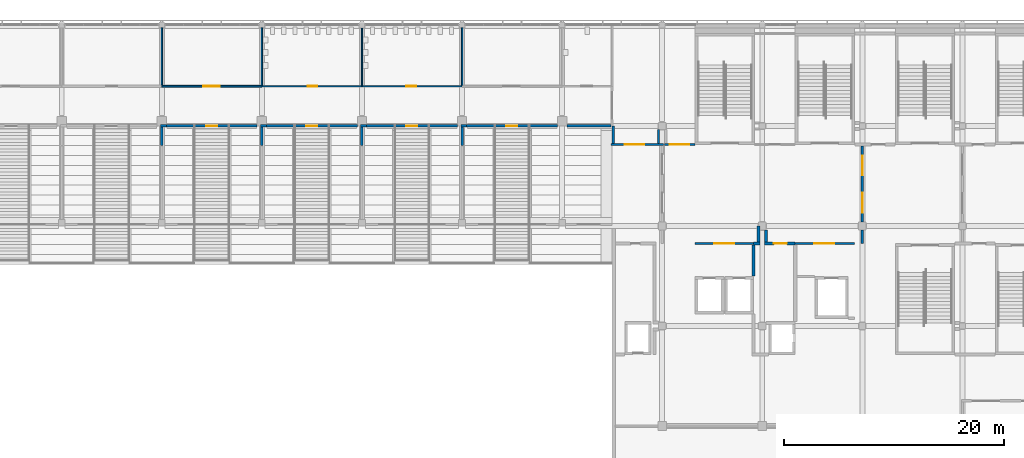
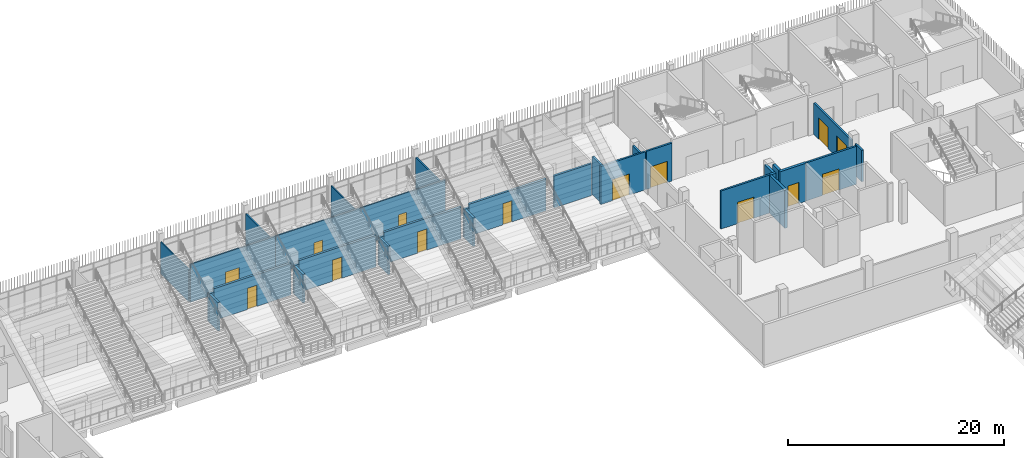
# One storey, part 87 of 139: 32 walls, 14 doors, 14 openings.
"""IFC4 building model written with IfcOpenShell, lengths in metres."""

from ifc_helpers import new_model, si_unit, direction, frame, frame_2d, origin, place, context, subcontext, project, spatial, rectangle, extrude, material, layer, layer_set, type_object, element, fill, save


model = new_model("IFC4")

# Units and contexts
model_context = context("Model", 3, precision=1e-05, world=origin(), true_north=direction((0.0, 1.0)))
body_context = subcontext(model_context, "Body", "Model", "MODEL_VIEW")
ifc_project = project(units=[si_unit("LENGTHUNIT", "METRE"), si_unit("AREAUNIT", "SQUARE_METRE"), si_unit("VOLUMEUNIT", "CUBIC_METRE"), si_unit("PLANEANGLEUNIT", "RADIAN"), si_unit("MASSUNIT", "GRAM", prefix="KILO")], contexts=[model_context])

# Site, building, storey
site_placement = place(None, origin())
site = spatial("IfcSite", under=ifc_project, at=site_placement, CompositionType="ELEMENT")
building_placement = place(site_placement, origin())
building = spatial("IfcBuilding", under=site, at=building_placement, Name="Shirokan Park Arena", CompositionType="ELEMENT")
storey_placement = place(building_placement, frame((0.0, 0.0, 15.469970703125)))
storey = spatial("IfcBuildingStorey", under=building, at=storey_placement, Name="L03", CompositionType="ELEMENT", Elevation=15.469970703125)

# Wall, opening, door
ifc_material_1 = material(Name="Gypsum board")
ifc_layer_1 = layer(ifc_material_1, 0.02490234375, Name="Gypsum board, two layers")
ifc_material_2 = material(Name="Mineral wool insulation")
ifc_layer_2 = layer(ifc_material_2, 0.14990234375, Name="Mineral wool insulation")
ifc_layer_3 = layer(ifc_material_1, 0.02490234375, Name="Gypsum board, two layers")
ifc_layer_set_1 = layer_set([ifc_layer_1, ifc_layer_2, ifc_layer_3], Name="Gypsum board, two layers + Mineral wool insulation")
wall_type_1 = type_object("IfcWallType", Name="Corridor wall 200", PredefinedType="PARTITIONING", material=ifc_layer_set_1)
wall_1_placement = place(storey_placement, frame((104.53759765625, 98.39990234375, 0.0), z_axis=(0.0, 0.0, 1.0), x_axis=(1.0, 0.0, 0.0)))
wall_1 = element("IfcWall", 1, at=wall_1_placement, inside=storey, type_object=wall_type_1, Name="Corridor wall 200 L03", PredefinedType="PARTITIONING", context=body_context, shape_type="SweptSolid", body=[
    extrude(rectangle(XDim=4.762451171875, YDim=0.199951171875, at=frame_2d((2.38134765625, 0.0))), origin(), (0.0, 0.0, 1.0), 4.300048828125),
])
opening_1_placement = place(wall_1_placement, frame((1.25, 0.0, 0.0)))
opening_1 = element("IfcOpeningElement", 2, at=opening_1_placement, cuts=wall_1, Name="Opening D-3123", PredefinedType="OPENING", context=body_context, shape_type="SweptSolid", body=[
    extrude(rectangle(XDim=1.800048828125, YDim=2.39990234375, at=frame_2d((0.89990234375, 1.199951171875))), frame((0.0, 0.10986328125, 0.0), z_axis=(0.0, -1.0, 0.0), x_axis=(1.0, 0.0, 0.0)), (0.0, 0.0, 1.0), 0.219970703125),
])
ifc_material_3 = material(Name="Glazed steel door set, fire resisting", Category="steel")
door_type_1 = type_object("IfcDoorType", Name="Lift lobby door 1800 x 2400", OperationType="DOUBLE_DOOR_SINGLE_SWING", PredefinedType="DOOR", material=ifc_material_3)
door_1_placement = place(opening_1_placement, origin())
door_1 = element("IfcDoor", 3, at=door_1_placement, inside=storey, type_object=door_type_1, Name="Door between Hospitality Foyer 3.3.4 and Ring Link 3.3 D-3123", OperationType="DOUBLE_DOOR_SINGLE_SWING", OverallHeight=2.39990234375, OverallWidth=1.800048828125, PredefinedType="DOOR", context=body_context, shape_type="SweptSolid", body=[
    extrude(rectangle(XDim=1.800048828125, YDim=2.39990234375, at=frame_2d((0.89990234375, 1.199951171875))), frame((0.0, 0.02490234375, 0.0), z_axis=(0.0, -1.0, 0.0), x_axis=(1.0, 0.0, 0.0)), (0.0, 0.0, 1.0), 0.050048828125),
])
fill(opening_1, door_1)

# Wall
wall_2_placement = place(storey_placement, frame((108.875, 98.5, 0.0), z_axis=(0.0, 0.0, 1.0), x_axis=(0.0, 1.0, 0.0)))
element("IfcWall", 4, at=wall_2_placement, inside=storey, type_object=wall_type_1, Name="Corridor wall 200 L03", PredefinedType="PARTITIONING", context=body_context, shape_type="SweptSolid", body=[
    extrude(rectangle(XDim=1.27490234375, YDim=0.199951171875, at=frame_2d((0.637451171875, 0.0))), origin(), (0.0, 0.0, 1.0), 4.300048828125),
])

# Wall, opening, door
wall_3_placement = place(storey_placement, frame((109.425048828125, 98.39990234375, 0.0), z_axis=(0.0, 0.0, 1.0), x_axis=(1.0, 0.0, 0.0)))
wall_3 = element("IfcWall", 5, at=wall_3_placement, inside=storey, type_object=wall_type_1, Name="Corridor wall 200 L03", PredefinedType="PARTITIONING", context=body_context, shape_type="SweptSolid", body=[
    extrude(rectangle(XDim=2.744873046875, YDim=0.199951171875, at=frame_2d((1.37255859375, 0.0))), origin(), (0.0, 0.0, 1.0), 4.300048828125),
])
opening_2_placement = place(wall_3_placement, frame((0.449951171875, 0.0, 0.0)))
opening_2 = element("IfcOpeningElement", 6, at=opening_2_placement, cuts=wall_3, Name="Opening D-3122", PredefinedType="OPENING", context=body_context, shape_type="SweptSolid", body=[
    extrude(rectangle(XDim=1.800048828125, YDim=2.39990234375, at=frame_2d((0.89990234375, 1.199951171875))), frame((0.0, 0.10986328125, 0.0), z_axis=(0.0, -1.0, 0.0), x_axis=(1.0, 0.0, 0.0)), (0.0, 0.0, 1.0), 0.219970703125),
])
door_2_placement = place(opening_2_placement, origin())
door_2 = element("IfcDoor", 7, at=door_2_placement, inside=storey, type_object=door_type_1, Name="Door between Stair Lobby 3.3.3 and Ring Link 3.3 D-3122", OperationType="DOUBLE_DOOR_SINGLE_SWING", OverallHeight=2.39990234375, OverallWidth=1.800048828125, PredefinedType="DOOR", context=body_context, shape_type="SweptSolid", body=[
    extrude(rectangle(XDim=1.800048828125, YDim=2.39990234375, at=frame_2d((0.89990234375, 1.199951171875))), frame((0.0, 0.02490234375, 0.0), z_axis=(0.0, -1.0, 0.0), x_axis=(1.0, 0.0, 0.0)), (0.0, 0.0, 1.0), 0.050048828125),
])
fill(opening_2, door_2)

wall_4_placement = place(storey_placement, frame((117.5, 89.39990234375, 0.0), z_axis=(0.0, 0.0, 1.0), x_axis=(-1.0, 0.0, 0.0)))
wall_4 = element("IfcWall", 8, at=wall_4_placement, inside=storey, type_object=wall_type_1, Name="Corridor wall 200 L03", PredefinedType="PARTITIONING", context=body_context, shape_type="SweptSolid", body=[
    extrude(rectangle(XDim=5.300048828125, YDim=0.199951171875, at=frame_2d((2.64990234375, 0.0))), origin(), (0.0, 0.0, 1.0), 4.300048828125),
])
opening_3_placement = place(wall_4_placement, frame((1.75, 0.0, 0.0)))
opening_3 = element("IfcOpeningElement", 9, at=opening_3_placement, cuts=wall_4, Name="Opening D-3120", PredefinedType="OPENING", context=body_context, shape_type="SweptSolid", body=[
    extrude(rectangle(XDim=1.800048828125, YDim=2.39990234375, at=frame_2d((0.89990234375, 1.199951171875))), frame((0.0, 0.10986328125, 0.0), z_axis=(0.0, -1.0, 0.0), x_axis=(1.0, 0.0, 0.0)), (0.0, 0.0, 1.0), 0.219970703125),
])
door_3_placement = place(opening_3_placement, origin())
door_3 = element("IfcDoor", 10, at=door_3_placement, inside=storey, type_object=door_type_1, Name="Door between Stair Lobby 3.3.3 and Lift Lobby 3.3 D-3120", OperationType="DOUBLE_DOOR_SINGLE_SWING", OverallHeight=2.39990234375, OverallWidth=1.800048828125, PredefinedType="DOOR", context=body_context, shape_type="SweptSolid", body=[
    extrude(rectangle(XDim=1.800048828125, YDim=2.39990234375, at=frame_2d((0.89990234375, 1.199951171875))), frame((0.0, 0.02490234375, 0.0), z_axis=(0.0, -1.0, 0.0), x_axis=(1.0, 0.0, 0.0)), (0.0, 0.0, 1.0), 0.050048828125),
])
fill(opening_3, door_3)

wall_5_placement = place(storey_placement, frame((126.699951171875, 89.39990234375, 0.0), z_axis=(0.0, 0.0, 1.0), x_axis=(-1.0, 0.0, 0.0)))
wall_5 = element("IfcWall", 11, at=wall_5_placement, inside=storey, type_object=wall_type_1, Name="Corridor wall 200 L03", PredefinedType="PARTITIONING", context=body_context, shape_type="SweptSolid", body=[
    extrude(rectangle(XDim=5.39990234375, YDim=0.199951171875, at=frame_2d((2.699951171875, 0.0))), origin(), (0.0, 0.0, 1.0), 4.300048828125),
])
opening_4_placement = place(wall_5_placement, frame((1.85009765625, 0.0, 0.0)))
opening_4 = element("IfcOpeningElement", 12, at=opening_4_placement, cuts=wall_5, Name="Opening D-3121", PredefinedType="OPENING", context=body_context, shape_type="SweptSolid", body=[
    extrude(rectangle(XDim=1.800048828125, YDim=2.39990234375, at=frame_2d((0.89990234375, 1.199951171875))), frame((0.0, 0.10986328125, 0.0), z_axis=(0.0, -1.0, 0.0), x_axis=(1.0, 0.0, 0.0)), (0.0, 0.0, 1.0), 0.219970703125),
])
door_4_placement = place(opening_4_placement, origin())
door_4 = element("IfcDoor", 13, at=door_4_placement, inside=storey, type_object=door_type_1, Name="Door between Stair Lobby 3.3.3 and Service Lift Lobby 3.3 D-3121", OperationType="DOUBLE_DOOR_SINGLE_SWING", OverallHeight=2.39990234375, OverallWidth=1.800048828125, PredefinedType="DOOR", context=body_context, shape_type="SweptSolid", body=[
    extrude(rectangle(XDim=1.800048828125, YDim=2.39990234375, at=frame_2d((0.89990234375, 1.199951171875))), frame((0.0, 0.02490234375, 0.0), z_axis=(0.0, -1.0, 0.0), x_axis=(1.0, 0.0, 0.0)), (0.0, 0.0, 1.0), 0.050048828125),
])
fill(opening_4, door_4)

# Wall
wall_6_placement = place(storey_placement, frame((127.39990234375, 89.39990234375, 0.0), z_axis=(0.0, 0.0, 1.0), x_axis=(0.0, 1.0, 0.0)))
element("IfcWall", 14, at=wall_6_placement, inside=storey, type_object=wall_type_1, Name="Corridor wall 200 L03", PredefinedType="PARTITIONING", context=body_context, shape_type="SweptSolid", body=[
    extrude(rectangle(XDim=1.25, YDim=0.199951171875, at=frame_2d((0.625, 0.0))), origin(), (0.0, 0.0, 1.0), 3.550048828125),
])

# Wall, openings, doors
wall_7_placement = place(storey_placement, frame((127.39990234375, 91.35009765625, 0.0), z_axis=(0.0, 0.0, 1.0), x_axis=(0.0, 1.0, 0.0)))
wall_7 = element("IfcWall", 15, at=wall_7_placement, inside=storey, type_object=wall_type_1, Name="Corridor wall 200 L03", PredefinedType="PARTITIONING", context=body_context, shape_type="SweptSolid", body=[
    extrude(rectangle(XDim=6.912353515625, YDim=0.199951171875, at=frame_2d((3.4560546875, 0.0))), origin(), (0.0, 0.0, 1.0), 3.550048828125),
])
opening_5_placement = place(wall_7_placement, frame((0.85009765625, 0.0, 0.0)))
opening_5 = element("IfcOpeningElement", 16, at=opening_5_placement, cuts=wall_7, Name="Opening D-3116", PredefinedType="OPENING", context=body_context, shape_type="SweptSolid", body=[
    extrude(rectangle(XDim=1.800048828125, YDim=2.39990234375, at=frame_2d((0.89990234375, 1.199951171875))), frame((0.0, 0.10986328125, 0.0), z_axis=(0.0, -1.0, 0.0), x_axis=(1.0, 0.0, 0.0)), (0.0, 0.0, 1.0), 0.219970703125),
])
opening_6_placement = place(wall_7_placement, frame((4.25, 0.0, 0.0)))
opening_6 = element("IfcOpeningElement", 17, at=opening_6_placement, cuts=wall_7, Name="Opening D-3117", PredefinedType="OPENING", context=body_context, shape_type="SweptSolid", body=[
    extrude(rectangle(XDim=1.800048828125, YDim=2.39990234375, at=frame_2d((0.89990234375, 1.199951171875))), frame((0.0, 0.10986328125, 0.0), z_axis=(0.0, -1.0, 0.0), x_axis=(1.0, 0.0, 0.0)), (0.0, 0.0, 1.0), 0.219970703125),
])
door_5_placement = place(opening_5_placement, origin())
door_5 = element("IfcDoor", 18, at=door_5_placement, inside=storey, type_object=door_type_1, Name="Door between Media Lobby 3.3.2 and Stair Lobby 3.3.3 D-3116", OperationType="DOUBLE_DOOR_SINGLE_SWING", OverallHeight=2.39990234375, OverallWidth=1.800048828125, PredefinedType="DOOR", context=body_context, shape_type="SweptSolid", body=[
    extrude(rectangle(XDim=1.800048828125, YDim=2.39990234375, at=frame_2d((0.89990234375, 1.199951171875))), frame((0.0, 0.02490234375, 0.0), z_axis=(0.0, -1.0, 0.0), x_axis=(1.0, 0.0, 0.0)), (0.0, 0.0, 1.0), 0.050048828125),
])
fill(opening_5, door_5)
door_6_placement = place(opening_6_placement, origin())
door_6 = element("IfcDoor", 19, at=door_6_placement, inside=storey, type_object=door_type_1, Name="Door between Media Lobby 3.3.2 and Stair Lobby 3.3.3 D-3117", OperationType="DOUBLE_DOOR_SINGLE_SWING", OverallHeight=2.39990234375, OverallWidth=1.800048828125, PredefinedType="DOOR", context=body_context, shape_type="SweptSolid", body=[
    extrude(rectangle(XDim=1.800048828125, YDim=2.39990234375, at=frame_2d((0.89990234375, 1.199951171875))), frame((0.0, 0.02490234375, 0.0), z_axis=(0.0, -1.0, 0.0), x_axis=(1.0, 0.0, 0.0)), (0.0, 0.0, 1.0), 0.050048828125),
])
fill(opening_6, door_6)

# Wall, opening, door
ifc_material_4 = material(Name="Ceramic tile")
ifc_layer_4 = layer(ifc_material_4, 0.010009765625, Name="Ceramic tile")
ifc_material_5 = material(Name="Render")
ifc_layer_5 = layer(ifc_material_5, 0.010009765625, Name="Render")
ifc_material_6 = material(Name="Concrete blockwork", Category="masonry")
ifc_layer_6 = layer(ifc_material_6, 0.10009765625, Name="Concrete blockwork 100")
ifc_layer_7 = layer(ifc_material_5, 0.010009765625, Name="Render")
ifc_layer_8 = layer(ifc_material_4, 0.010009765625, Name="Ceramic tile")
ifc_layer_set_2 = layer_set([ifc_layer_4, ifc_layer_5, ifc_layer_6, ifc_layer_7, ifc_layer_8], Name="Ceramic tile + Render + Concrete blockwork 100")
wall_type_2 = type_object("IfcWallType", Name="Kitchen wall 140", PredefinedType="SOLIDWALL", material=ifc_layer_set_2)
wall_8_placement = place(storey_placement, frame((63.699951171875, 103.699951171875, 0.0), z_axis=(0.0, 0.0, 1.0), x_axis=(1.0, 0.0, 0.0)))
wall_8 = element("IfcWall", 20, at=wall_8_placement, inside=storey, type_object=wall_type_2, Name="Kitchen wall 140 L03", PredefinedType="SOLIDWALL", context=body_context, shape_type="SweptSolid", body=[
    extrude(rectangle(XDim=9.10009765625, YDim=0.139892578125, at=frame_2d((4.550048828125, 0.0))), origin(), (0.0, 0.0, 1.0), 4.300048828125),
])
opening_7_placement = place(wall_8_placement, frame((3.75, 0.0, 0.0)))
opening_7 = element("IfcOpeningElement", 21, at=opening_7_placement, cuts=wall_8, Name="Opening D-3050", PredefinedType="OPENING", context=body_context, shape_type="SweptSolid", body=[
    extrude(rectangle(XDim=1.5, YDim=2.10009765625, at=frame_2d((0.75, 1.050048828125))), frame((0.0, 0.079833984375, 0.0), z_axis=(0.0, -1.0, 0.0), x_axis=(1.0, 0.0, 0.0)), (0.0, 0.0, 1.0), 0.159912109375),
])
ifc_material_7 = material(Name="Stainless steel door set, fire resisting", Category="steel")
door_type_2 = type_object("IfcDoorType", Name="Kitchen door 1500 x 2100", OperationType="DOUBLE_DOOR_SINGLE_SWING", PredefinedType="DOOR", material=ifc_material_7)
door_7_placement = place(opening_7_placement, origin())
door_7 = element("IfcDoor", 22, at=door_7_placement, inside=storey, type_object=door_type_2, Name="Door to Suite Pantry 3.34 D-3050", OperationType="DOUBLE_DOOR_SINGLE_SWING", OverallHeight=2.10009765625, OverallWidth=1.5, PredefinedType="DOOR", context=body_context, shape_type="SweptSolid", body=[
    extrude(rectangle(XDim=1.5, YDim=2.10009765625, at=frame_2d((0.75, 1.050048828125))), frame((0.0, 0.02490234375, 0.0), z_axis=(0.0, -1.0, 0.0), x_axis=(1.0, 0.0, 0.0)), (0.0, 0.0, 1.0), 0.050048828125),
])
fill(opening_7, door_7)

# Walls
wall_9_placement = place(storey_placement, frame((63.699951171875, 109.02490234375, 0.0), z_axis=(0.0, 0.0, 1.0), x_axis=(0.0, -1.0, 0.0)))
element("IfcWall", 23, at=wall_9_placement, inside=storey, type_object=wall_type_2, Name="Kitchen wall 140 L03", PredefinedType="SOLIDWALL", context=body_context, shape_type="SweptSolid", body=[
    extrude(rectangle(XDim=5.199951171875, YDim=0.139892578125, at=frame_2d((2.60009765625, 0.0))), origin(), (0.0, 0.0, 1.0), 3.60009765625),
])
for number, where, z_axis, x_axis, name in (
    (24, (72.800048828125, 109.02490234375, 0.0), (0.0, 0.0, 1.0), (0.0, -1.0, 0.0), "Kitchen wall 140 L03"),
    (25, (91.0, 109.02490234375, 0.0), (0.0, 0.0, 1.0), (0.0, -1.0, 0.0), "Kitchen wall 140 L03"),
):
    element("IfcWall", number, at=place(storey_placement, frame(where, z_axis=z_axis, x_axis=x_axis)), inside=storey, type_object=wall_type_2, Name=name, PredefinedType="SOLIDWALL", context=body_context, shape_type="SweptSolid", body=[
        extrude(rectangle(XDim=5.2548828125, YDim=0.139892578125, at=frame_2d((2.62744140625, 0.0))), origin(), (0.0, 0.0, 1.0), 3.60009765625),
    ])
ifc_material_8 = material(Name="Plaster")
ifc_layer_9 = layer(ifc_material_8, 0.012451171875, Name="Plaster")
ifc_layer_10 = layer(ifc_material_6, 0.25, Name="Concrete blockwork 250")
ifc_layer_11 = layer(ifc_material_8, 0.012451171875, Name="Plaster")
ifc_layer_set_3 = layer_set([ifc_layer_9, ifc_layer_10, ifc_layer_11], Name="Plaster + Concrete blockwork 250")
wall_type_3 = type_object("IfcWallType", Name="Plant room wall 275", PredefinedType="SOLIDWALL", material=ifc_layer_set_3)
wall_10_placement = place(storey_placement, frame((117.5, 86.429931640625, 0.0), z_axis=(0.0, 0.0, 1.0), x_axis=(0.0, 1.0, 0.0)))
element("IfcWall", 26, at=wall_10_placement, inside=storey, type_object=wall_type_3, Name="Plant room wall 275 L03", PredefinedType="SOLIDWALL", context=body_context, shape_type="SweptSolid", body=[
    extrude(rectangle(XDim=2.83251953125, YDim=0.27490234375, at=frame_2d((1.416259765625, 0.0))), origin(), (0.0, 0.0, 1.0), 4.300048828125),
])
wall_11_placement = place(storey_placement, frame((117.949951171875, 89.53759765625, 0.0), z_axis=(0.0, 0.0, 1.0), x_axis=(0.0, 1.0, 0.0)))
element("IfcWall", 27, at=wall_11_placement, inside=storey, type_object=wall_type_3, Name="Plant room wall 275 L03", PredefinedType="SOLIDWALL", context=body_context, shape_type="SweptSolid", body=[
    extrude(rectangle(XDim=1.46240234375, YDim=0.27490234375, at=frame_2d((0.731201171875, 0.0))), origin(), (0.0, 0.0, 1.0), 4.300048828125),
])
wall_12_placement = place(storey_placement, frame((118.08740234375, 89.39990234375, 0.0), z_axis=(0.0, 0.0, 1.0), x_axis=(-1.0, 0.0, 0.0)))
element("IfcWall", 28, at=wall_12_placement, inside=storey, type_object=wall_type_3, Name="Plant room wall 275 L03", PredefinedType="SOLIDWALL", context=body_context, shape_type="SweptSolid", body=[
    extrude(rectangle(XDim=0.58740234375, YDim=0.27490234375, at=frame_2d((0.293701171875, 0.0))), origin(), (0.0, 0.0, 1.0), 4.300048828125),
])
wall_13_placement = place(storey_placement, frame((118.64990234375, 89.53759765625, 0.0), z_axis=(0.0, 0.0, 1.0), x_axis=(0.0, 1.0, 0.0)))
element("IfcWall", 29, at=wall_13_placement, inside=storey, type_object=wall_type_3, Name="Plant room wall 275 L03", PredefinedType="SOLIDWALL", context=body_context, shape_type="SweptSolid", body=[
    extrude(rectangle(XDim=1.1123046875, YDim=0.27490234375, at=frame_2d((0.55615234375, 0.0))), origin(), (0.0, 0.0, 1.0), 4.300048828125),
])

# Wall, opening, door
wall_14_placement = place(storey_placement, frame((121.300048828125, 89.39990234375, 0.0), z_axis=(0.0, 0.0, 1.0), x_axis=(-1.0, 0.0, 0.0)))
wall_14 = element("IfcWall", 30, at=wall_14_placement, inside=storey, type_object=wall_type_3, Name="Plant room wall 275 L03", PredefinedType="SOLIDWALL", context=body_context, shape_type="SweptSolid", body=[
    extrude(rectangle(XDim=2.78759765625, YDim=0.27490234375, at=frame_2d((1.393798828125, 0.0))), origin(), (0.0, 0.0, 1.0), 4.300048828125),
])
opening_8_placement = place(wall_14_placement, frame((0.75, 0.0, 0.0)))
opening_8 = element("IfcOpeningElement", 31, at=opening_8_placement, cuts=wall_14, Name="Opening D-3024", PredefinedType="OPENING", context=body_context, shape_type="SweptSolid", body=[
    extrude(rectangle(XDim=1.199951171875, YDim=2.39990234375, at=frame_2d((0.60009765625, 1.199951171875))), frame((0.0, 0.1474609375, 0.0), z_axis=(0.0, -1.0, 0.0), x_axis=(1.0, 0.0, 0.0)), (0.0, 0.0, 1.0), 0.294921875),
])
ifc_material_9 = material(Name="Louvred steel door set, fire resisting", Category="steel")
door_type_3 = type_object("IfcDoorType", Name="Plant room door 1200 x 2400", OperationType="SINGLE_SWING_LEFT", PredefinedType="DOOR", material=ifc_material_9)
door_8_placement = place(opening_8_placement, origin())
door_8 = element("IfcDoor", 32, at=door_8_placement, inside=storey, type_object=door_type_3, Name="Door to Communications Room 3.38 D-3024", OperationType="SINGLE_SWING_RIGHT", OverallHeight=2.39990234375, OverallWidth=1.199951171875, PredefinedType="DOOR", context=body_context, shape_type="SweptSolid", body=[
    extrude(rectangle(XDim=1.199951171875, YDim=2.39990234375, at=frame_2d((0.60009765625, 1.199951171875))), frame((0.0, 0.02490234375, 0.0), z_axis=(0.0, -1.0, 0.0), x_axis=(1.0, 0.0, 0.0)), (0.0, 0.0, 1.0), 0.050048828125),
])
fill(opening_8, door_8)

# Walls
ifc_layer_12 = layer(ifc_material_1, 0.02490234375, Name="Gypsum board, two layers")
ifc_layer_13 = layer(ifc_material_2, 0.074951171875, Name="Mineral wool insulation")
ifc_material_10 = material(Name="Air cavity")
ifc_layer_14 = layer(ifc_material_10, 0.02490234375, Name="Air cavity")
ifc_layer_15 = layer(ifc_material_2, 0.074951171875, Name="Mineral wool insulation")
ifc_layer_16 = layer(ifc_material_1, 0.02490234375, Name="Gypsum board, two layers")
ifc_layer_set_4 = layer_set([ifc_layer_12, ifc_layer_13, ifc_layer_14, ifc_layer_15, ifc_layer_16], Name="Gypsum board, two layers + Mineral wool insulation + Air cavity")
wall_type_4 = type_object("IfcWallType", Name="Suite party wall 225", PredefinedType="PARTITIONING", material=ifc_layer_set_4)
wall_15_placement = place(storey_placement, frame((63.699951171875, 99.987548828125, 0.0), z_axis=(0.0, 0.0, 1.0), x_axis=(0.0, -1.0, 0.0)))
element("IfcWall", 33, at=wall_15_placement, inside=storey, type_object=wall_type_4, Name="Suite party wall 225 L03", PredefinedType="PARTITIONING", context=body_context, shape_type="SweptSolid", body=[
    extrude(rectangle(XDim=1.657470703125, YDim=0.22509765625, at=frame_2d((0.82861328125, 0.0))), origin(), (0.0, 0.0, 1.0), 3.219970703125),
])
wall_16_placement = place(storey_placement, frame((64.125, 100.10009765625, 0.0), z_axis=(0.0, 0.0, 1.0), x_axis=(-1.0, 0.0, 0.0)))
element("IfcWall", 34, at=wall_16_placement, inside=storey, type_object=wall_type_4, Name="Suite party wall 225 L03", PredefinedType="PARTITIONING", context=body_context, shape_type="SweptSolid", body=[
    extrude(rectangle(XDim=0.53759765625, YDim=0.22509765625, at=frame_2d((0.268798828125, 0.0))), origin(), (0.0, 0.0, 1.0), 3.219970703125),
])

# Wall, opening, door
wall_17_placement = place(storey_placement, frame((72.375, 100.10009765625, 0.0), z_axis=(0.0, 0.0, 1.0), x_axis=(-1.0, 0.0, 0.0)))
wall_17 = element("IfcWall", 35, at=wall_17_placement, inside=storey, type_object=wall_type_4, Name="Suite party wall 225 L03", PredefinedType="PARTITIONING", context=body_context, shape_type="SweptSolid", body=[
    extrude(rectangle(XDim=8.25, YDim=0.22509765625, at=frame_2d((4.125, 0.0))), origin(), (0.0, 0.0, 1.0), 3.60009765625),
])
opening_9_placement = place(wall_17_placement, frame((3.64990234375, 0.0, 0.0)))
opening_9 = element("IfcOpeningElement", 36, at=opening_9_placement, cuts=wall_17, Name="Opening D-3057", PredefinedType="OPENING", context=body_context, shape_type="SweptSolid", body=[
    extrude(rectangle(XDim=1.0, YDim=2.39990234375, at=frame_2d((0.5, 1.199951171875))), frame((0.0, 0.12255859375, 0.0), z_axis=(0.0, -1.0, 0.0), x_axis=(1.0, 0.0, 0.0)), (0.0, 0.0, 1.0), 0.2451171875),
])
ifc_material_11 = material(Name="Glazed timber door set, fire resisting", Category="wood")
door_type_4 = type_object("IfcDoorType", Name="Suite door 1000 x 2400", OperationType="SINGLE_SWING_LEFT", PredefinedType="DOOR", material=ifc_material_11)
door_9_placement = place(opening_9_placement, origin())
door_9 = element("IfcDoor", 37, at=door_9_placement, inside=storey, type_object=door_type_4, Name="Door to Hospitality Suite 3.33 D-3057", OperationType="SINGLE_SWING_LEFT", OverallHeight=2.39990234375, OverallWidth=1.0, PredefinedType="DOOR", context=body_context, shape_type="SweptSolid", body=[
    extrude(rectangle(XDim=1.0, YDim=2.39990234375, at=frame_2d((0.5, 1.199951171875))), frame((0.0, 0.02490234375, 0.0), z_axis=(0.0, -1.0, 0.0), x_axis=(1.0, 0.0, 0.0)), (0.0, 0.0, 1.0), 0.050048828125),
])
fill(opening_9, door_9)

# Walls
wall_18_placement = place(storey_placement, frame((72.800048828125, 99.987548828125, 0.0), z_axis=(0.0, 0.0, 1.0), x_axis=(0.0, -1.0, 0.0)))
element("IfcWall", 38, at=wall_18_placement, inside=storey, type_object=wall_type_4, Name="Suite party wall 225 L03", PredefinedType="PARTITIONING", context=body_context, shape_type="SweptSolid", body=[
    extrude(rectangle(XDim=1.657470703125, YDim=0.22509765625, at=frame_2d((0.82861328125, 0.0))), origin(), (0.0, 0.0, 1.0), 3.219970703125),
])
wall_19_placement = place(storey_placement, frame((73.22509765625, 100.10009765625, 0.0), z_axis=(0.0, 0.0, 1.0), x_axis=(-1.0, 0.0, 0.0)))
element("IfcWall", 39, at=wall_19_placement, inside=storey, type_object=wall_type_4, Name="Suite party wall 225 L03", PredefinedType="PARTITIONING", context=body_context, shape_type="SweptSolid", body=[
    extrude(rectangle(XDim=0.53759765625, YDim=0.22509765625, at=frame_2d((0.268798828125, 0.0))), origin(), (0.0, 0.0, 1.0), 3.219970703125),
])

# Wall, opening, door
wall_20_placement = place(storey_placement, frame((81.47509765625, 100.10009765625, 0.0), z_axis=(0.0, 0.0, 1.0), x_axis=(-1.0, 0.0, 0.0)))
wall_20 = element("IfcWall", 40, at=wall_20_placement, inside=storey, type_object=wall_type_4, Name="Suite party wall 225 L03", PredefinedType="PARTITIONING", context=body_context, shape_type="SweptSolid", body=[
    extrude(rectangle(XDim=8.25, YDim=0.22509765625, at=frame_2d((4.125, 0.0))), origin(), (0.0, 0.0, 1.0), 3.60009765625),
])
opening_10_placement = place(wall_20_placement, frame((3.64990234375, 0.0, 0.0)))
opening_10 = element("IfcOpeningElement", 41, at=opening_10_placement, cuts=wall_20, Name="Opening D-3058", PredefinedType="OPENING", context=body_context, shape_type="SweptSolid", body=[
    extrude(rectangle(XDim=1.0, YDim=2.39990234375, at=frame_2d((0.5, 1.199951171875))), frame((0.0, 0.12255859375, 0.0), z_axis=(0.0, -1.0, 0.0), x_axis=(1.0, 0.0, 0.0)), (0.0, 0.0, 1.0), 0.2451171875),
])
door_10_placement = place(opening_10_placement, origin())
door_10 = element("IfcDoor", 42, at=door_10_placement, inside=storey, type_object=door_type_4, Name="Door to Hospitality Suite 3.34 D-3058", OperationType="SINGLE_SWING_LEFT", OverallHeight=2.39990234375, OverallWidth=1.0, PredefinedType="DOOR", context=body_context, shape_type="SweptSolid", body=[
    extrude(rectangle(XDim=1.0, YDim=2.39990234375, at=frame_2d((0.5, 1.199951171875))), frame((0.0, 0.02490234375, 0.0), z_axis=(0.0, -1.0, 0.0), x_axis=(1.0, 0.0, 0.0)), (0.0, 0.0, 1.0), 0.050048828125),
])
fill(opening_10, door_10)

# Walls
wall_21_placement = place(storey_placement, frame((81.89990234375, 99.987548828125, 0.0), z_axis=(0.0, 0.0, 1.0), x_axis=(0.0, -1.0, 0.0)))
element("IfcWall", 43, at=wall_21_placement, inside=storey, type_object=wall_type_4, Name="Suite party wall 225 L03", PredefinedType="PARTITIONING", context=body_context, shape_type="SweptSolid", body=[
    extrude(rectangle(XDim=1.657470703125, YDim=0.22509765625, at=frame_2d((0.82861328125, 0.0))), origin(), (0.0, 0.0, 1.0), 3.219970703125),
])
wall_22_placement = place(storey_placement, frame((82.324951171875, 100.10009765625, 0.0), z_axis=(0.0, 0.0, 1.0), x_axis=(-1.0, 0.0, 0.0)))
element("IfcWall", 44, at=wall_22_placement, inside=storey, type_object=wall_type_4, Name="Suite party wall 225 L03", PredefinedType="PARTITIONING", context=body_context, shape_type="SweptSolid", body=[
    extrude(rectangle(XDim=0.537353515625, YDim=0.22509765625, at=frame_2d((0.2685546875, 0.0))), origin(), (0.0, 0.0, 1.0), 3.219970703125),
])

# Wall, opening, door
wall_23_placement = place(storey_placement, frame((90.574951171875, 100.10009765625, 0.0), z_axis=(0.0, 0.0, 1.0), x_axis=(-1.0, 0.0, 0.0)))
wall_23 = element("IfcWall", 45, at=wall_23_placement, inside=storey, type_object=wall_type_4, Name="Suite party wall 225 L03", PredefinedType="PARTITIONING", context=body_context, shape_type="SweptSolid", body=[
    extrude(rectangle(XDim=8.25, YDim=0.22509765625, at=frame_2d((4.125, 0.0))), origin(), (0.0, 0.0, 1.0), 3.60009765625),
])
opening_11_placement = place(wall_23_placement, frame((3.64990234375, 0.0, 0.0)))
opening_11 = element("IfcOpeningElement", 46, at=opening_11_placement, cuts=wall_23, Name="Opening D-3059", PredefinedType="OPENING", context=body_context, shape_type="SweptSolid", body=[
    extrude(rectangle(XDim=1.0, YDim=2.39990234375, at=frame_2d((0.5, 1.199951171875))), frame((0.0, 0.12255859375, 0.0), z_axis=(0.0, -1.0, 0.0), x_axis=(1.0, 0.0, 0.0)), (0.0, 0.0, 1.0), 0.2451171875),
])
door_11_placement = place(opening_11_placement, origin())
door_11 = element("IfcDoor", 47, at=door_11_placement, inside=storey, type_object=door_type_4, Name="Door to Hospitality Suite 3.35 D-3059", OperationType="SINGLE_SWING_LEFT", OverallHeight=2.39990234375, OverallWidth=1.0, PredefinedType="DOOR", context=body_context, shape_type="SweptSolid", body=[
    extrude(rectangle(XDim=1.0, YDim=2.39990234375, at=frame_2d((0.5, 1.199951171875))), frame((0.0, 0.02490234375, 0.0), z_axis=(0.0, -1.0, 0.0), x_axis=(1.0, 0.0, 0.0)), (0.0, 0.0, 1.0), 0.050048828125),
])
fill(opening_11, door_11)

# Walls
wall_24_placement = place(storey_placement, frame((91.0, 99.987548828125, 0.0), z_axis=(0.0, 0.0, 1.0), x_axis=(0.0, -1.0, 0.0)))
element("IfcWall", 48, at=wall_24_placement, inside=storey, type_object=wall_type_4, Name="Suite party wall 225 L03", PredefinedType="PARTITIONING", context=body_context, shape_type="SweptSolid", body=[
    extrude(rectangle(XDim=1.657470703125, YDim=0.22509765625, at=frame_2d((0.82861328125, 0.0))), origin(), (0.0, 0.0, 1.0), 3.219970703125),
])
wall_25_placement = place(storey_placement, frame((91.425048828125, 100.10009765625, 0.0), z_axis=(0.0, 0.0, 1.0), x_axis=(-1.0, 0.0, 0.0)))
element("IfcWall", 49, at=wall_25_placement, inside=storey, type_object=wall_type_4, Name="Suite party wall 225 L03", PredefinedType="PARTITIONING", context=body_context, shape_type="SweptSolid", body=[
    extrude(rectangle(XDim=0.53759765625, YDim=0.22509765625, at=frame_2d((0.268798828125, 0.0))), origin(), (0.0, 0.0, 1.0), 3.219970703125),
])

# Wall, opening, door
wall_26_placement = place(storey_placement, frame((99.675048828125, 100.10009765625, 0.0), z_axis=(0.0, 0.0, 1.0), x_axis=(-1.0, 0.0, 0.0)))
wall_26 = element("IfcWall", 50, at=wall_26_placement, inside=storey, type_object=wall_type_4, Name="Suite party wall 225 L03", PredefinedType="PARTITIONING", context=body_context, shape_type="SweptSolid", body=[
    extrude(rectangle(XDim=8.25, YDim=0.22509765625, at=frame_2d((4.125, 0.0))), origin(), (0.0, 0.0, 1.0), 3.60009765625),
])
opening_12_placement = place(wall_26_placement, frame((3.64990234375, 0.0, 0.0)))
opening_12 = element("IfcOpeningElement", 51, at=opening_12_placement, cuts=wall_26, Name="Opening D-3060", PredefinedType="OPENING", context=body_context, shape_type="SweptSolid", body=[
    extrude(rectangle(XDim=1.0, YDim=2.39990234375, at=frame_2d((0.5, 1.199951171875))), frame((0.0, 0.12255859375, 0.0), z_axis=(0.0, -1.0, 0.0), x_axis=(1.0, 0.0, 0.0)), (0.0, 0.0, 1.0), 0.2451171875),
])
door_12_placement = place(opening_12_placement, origin())
door_12 = element("IfcDoor", 52, at=door_12_placement, inside=storey, type_object=door_type_4, Name="Door to Hospitality Suite 3.36 D-3060", OperationType="SINGLE_SWING_LEFT", OverallHeight=2.39990234375, OverallWidth=1.0, PredefinedType="DOOR", context=body_context, shape_type="SweptSolid", body=[
    extrude(rectangle(XDim=1.0, YDim=2.39990234375, at=frame_2d((0.5, 1.199951171875))), frame((0.0, 0.02490234375, 0.0), z_axis=(0.0, -1.0, 0.0), x_axis=(1.0, 0.0, 0.0)), (0.0, 0.0, 1.0), 0.050048828125),
])
fill(opening_12, door_12)

# Walls
wall_27_placement = place(storey_placement, frame((104.53759765625, 100.10009765625, 0.0), z_axis=(0.0, 0.0, 1.0), x_axis=(-1.0, 0.0, 0.0)))
element("IfcWall", 53, at=wall_27_placement, inside=storey, type_object=wall_type_4, Name="Suite party wall 225 L03", PredefinedType="PARTITIONING", context=body_context, shape_type="SweptSolid", body=[
    extrude(rectangle(XDim=4.0126953125, YDim=0.22509765625, at=frame_2d((2.00634765625, 0.0))), origin(), (0.0, 0.0, 1.0), 3.60009765625),
])
wall_28_placement = place(storey_placement, frame((104.763427734375, 98.5, 0.0), z_axis=(0.0, 0.0, 1.0), x_axis=(0.0, 1.0, 0.0)))
element("IfcWall", 54, at=wall_28_placement, inside=storey, type_object=wall_type_4, Name="Suite party wall 225 L03", PredefinedType="PARTITIONING", context=body_context, shape_type="SweptSolid", body=[
    extrude(rectangle(XDim=1.60009765625, YDim=0.22509765625, at=frame_2d((0.800048828125, 0.0))), origin(), (0.0, 0.0, 1.0), 4.300048828125),
])

# Wall, openings, doors
ifc_layer_17 = layer(ifc_material_4, 0.010009765625, Name="Ceramic tile")
ifc_material_12 = material(Name="Cement board")
ifc_layer_18 = layer(ifc_material_12, 0.012451171875, Name="Cement board")
ifc_layer_19 = layer(ifc_material_2, 0.080078125, Name="Mineral wool insulation")
ifc_layer_20 = layer(ifc_material_12, 0.012451171875, Name="Cement board")
ifc_layer_21 = layer(ifc_material_4, 0.010009765625, Name="Ceramic tile")
ifc_layer_set_5 = layer_set([ifc_layer_17, ifc_layer_18, ifc_layer_19, ifc_layer_20, ifc_layer_21], Name="Ceramic tile + Cement board + Mineral wool insulation")
wall_type_5 = type_object("IfcWallType", Name="Wet-area wall 125", PredefinedType="PARTITIONING", material=ifc_layer_set_5)
wall_29_placement = place(storey_placement, frame((72.800048828125, 103.699951171875, 0.0), z_axis=(0.0, 0.0, 1.0), x_axis=(1.0, 0.0, 0.0)))
wall_29 = element("IfcWall", 55, at=wall_29_placement, inside=storey, type_object=wall_type_5, Name="Wet-area wall 125 L03", PredefinedType="PARTITIONING", context=body_context, shape_type="SweptSolid", body=[
    extrude(rectangle(XDim=18.199951171875, YDim=0.125, at=frame_2d((9.10009765625, 0.0))), origin(), (0.0, 0.0, 1.0), 4.300048828125),
])
opening_13_placement = place(wall_29_placement, frame((4.14990234375, 0.0, 0.0)))
opening_13 = element("IfcOpeningElement", 56, at=opening_13_placement, cuts=wall_29, Name="Opening D-3051", PredefinedType="OPENING", context=body_context, shape_type="SweptSolid", body=[
    extrude(rectangle(XDim=0.89990234375, YDim=2.10009765625, at=frame_2d((0.449951171875, 1.050048828125))), frame((0.0, 0.072509765625, 0.0), z_axis=(0.0, -1.0, 0.0), x_axis=(1.0, 0.0, 0.0)), (0.0, 0.0, 1.0), 0.14501953125),
])
opening_14_placement = place(wall_29_placement, frame((13.14990234375, 0.0, 0.0)))
opening_14 = element("IfcOpeningElement", 57, at=opening_14_placement, cuts=wall_29, Name="Opening D-3052", PredefinedType="OPENING", context=body_context, shape_type="SweptSolid", body=[
    extrude(rectangle(XDim=0.89990234375, YDim=2.10009765625, at=frame_2d((0.449951171875, 1.050048828125))), frame((0.0, 0.072509765625, 0.0), z_axis=(0.0, -1.0, 0.0), x_axis=(1.0, 0.0, 0.0)), (0.0, 0.0, 1.0), 0.14501953125),
])
ifc_material_13 = material(Name="Timber door set, fire resisting", Category="wood")
door_type_5 = type_object("IfcDoorType", Name="Door 900 x 2100", OperationType="SINGLE_SWING_LEFT", PredefinedType="DOOR", material=ifc_material_13)
door_13_placement = place(opening_13_placement, origin())
door_13 = element("IfcDoor", 58, at=door_13_placement, inside=storey, type_object=door_type_5, Name="Door to Men's WC 3.35 D-3051", OperationType="SINGLE_SWING_LEFT", OverallHeight=2.10009765625, OverallWidth=0.89990234375, PredefinedType="DOOR", context=body_context, shape_type="SweptSolid", body=[
    extrude(rectangle(XDim=0.89990234375, YDim=2.10009765625, at=frame_2d((0.449951171875, 1.050048828125))), frame((0.0, 0.02490234375, 0.0), z_axis=(0.0, -1.0, 0.0), x_axis=(1.0, 0.0, 0.0)), (0.0, 0.0, 1.0), 0.050048828125),
])
fill(opening_13, door_13)
door_14_placement = place(opening_14_placement, origin())
door_14 = element("IfcDoor", 59, at=door_14_placement, inside=storey, type_object=door_type_5, Name="Door to Women's WC 3.36 D-3052", OperationType="SINGLE_SWING_RIGHT", OverallHeight=2.10009765625, OverallWidth=0.89990234375, PredefinedType="DOOR", context=body_context, shape_type="SweptSolid", body=[
    extrude(rectangle(XDim=0.89990234375, YDim=2.10009765625, at=frame_2d((0.449951171875, 1.050048828125))), frame((0.0, 0.02490234375, 0.0), z_axis=(0.0, -1.0, 0.0), x_axis=(1.0, 0.0, 0.0)), (0.0, 0.0, 1.0), 0.050048828125),
])
fill(opening_14, door_14)

# Wall
wall_30_placement = place(storey_placement, frame((81.89990234375, 109.0, 0.0), z_axis=(0.0, 0.0, 1.0), x_axis=(0.0, -1.0, 0.0)))
element("IfcWall", 60, at=wall_30_placement, inside=storey, type_object=wall_type_5, Name="Wet-area wall 125 L03", PredefinedType="PARTITIONING", context=body_context, shape_type="SweptSolid", body=[
    extrude(rectangle(XDim=5.237548828125, YDim=0.125, at=frame_2d((2.61865234375, 0.0))), origin(), (0.0, 0.0, 1.0), 3.60009765625),
])

save(model, "model.ifc")
